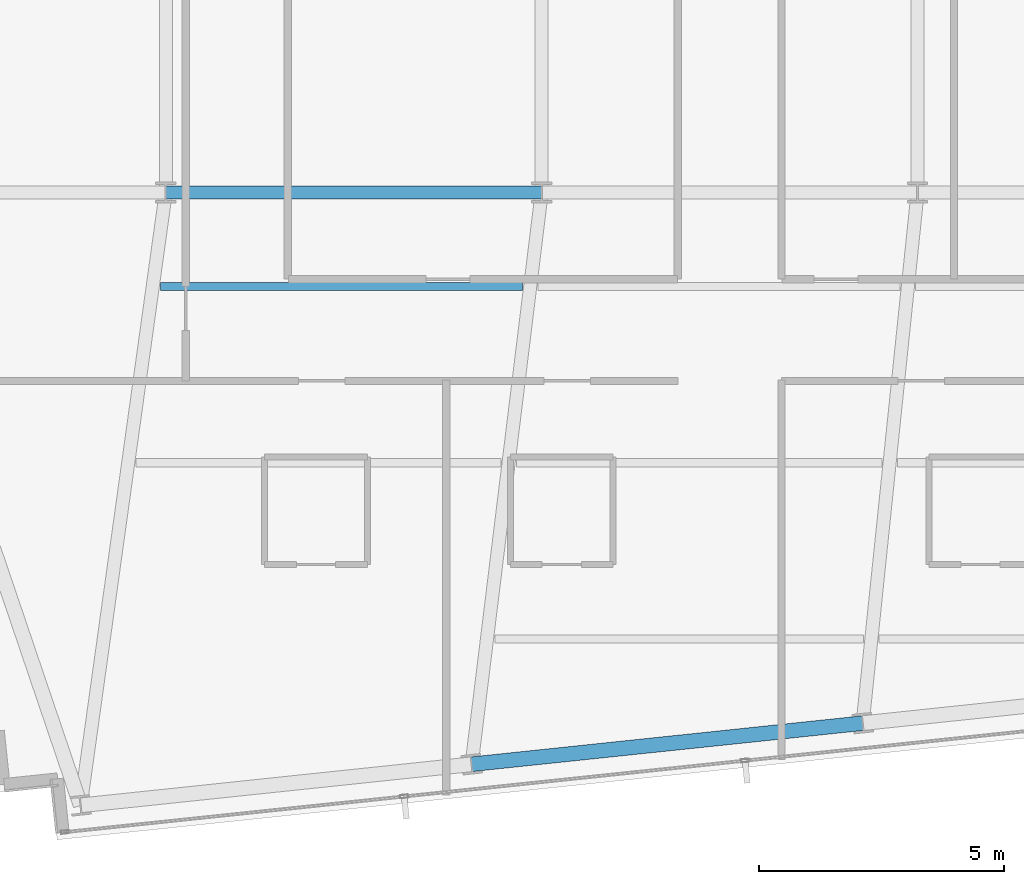
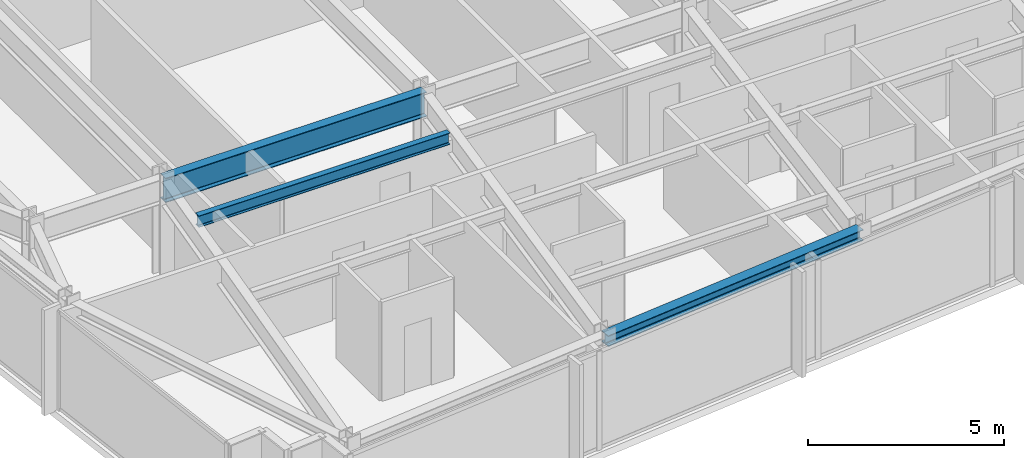
# One storey, part 6 of 33: 3 beams.
"""IFC4 building model written with IfcOpenShell, lengths in metres."""

import ifcopenshell
import ifcopenshell.guid

model = None  # the IFC model being written
_history = None  # IfcOwnerHistory: only IFC2X3 demands one
_inside = {}  # id of a spatial element -> (the spatial element, [elements in it])
_under = {}  # id of a project, library or spatial element -> (it, [spatial elements below it])
_declared = {}  # id of a project -> (the project, [libraries it declares])
_typed = {}  # id of a type object -> (the type object, [elements of that type])
_made_of = {}  # id of a material, layer set ... -> (it, [elements and type objects made of it])


def new_model(schema):
    """Start an empty IFC model of exactly this schema.

    Asked for "IFC4X3", IfcOpenShell would pick the latest addendum, in which some entities
    have other attributes; the version numbers below select the first issue.
    IFC2X3 requires an IfcOwnerHistory on every rooted entity: one is made here for all.
    """
    global model, _history
    if schema == "IFC4X3":
        model = ifcopenshell.file(schema_version=(4, 3, 0, 0))
    else:
        model = ifcopenshell.file(schema=schema)
    _inside.clear()
    _under.clear()
    _declared.clear()
    _typed.clear()
    _made_of.clear()
    _history = None
    if model.schema == "IFC2X3":
        org = make("IfcOrganization", Name="unknown")
        user = make(
            "IfcPersonAndOrganization",
            ThePerson=make("IfcPerson", FamilyName="unknown"),
            TheOrganization=org,
        )
        app = make(
            "IfcApplication",
            ApplicationDeveloper=org,
            Version="unknown",
            ApplicationFullName="unknown",
            ApplicationIdentifier="unknown",
        )
        _history = make(
            "IfcOwnerHistory",
            OwningUser=user,
            OwningApplication=app,
            ChangeAction="ADDED",
            CreationDate=0,
        )
    return model


def make(cls, **values):
    """One entity of the class cls with the attributes given. An attribute that is None is left unset."""
    return model.create_entity(
        cls, **{name: value for name, value in values.items() if value is not None}
    )


def rooted(cls, **values):
    """An entity with a GlobalId (a new one), such as an element, a storey or a relation."""
    return make(cls, GlobalId=ifcopenshell.guid.new(), OwnerHistory=_history, **values)


def si_unit(unit_type, name, prefix=None):
    """IfcSIUnit, for example si_unit("LENGTHUNIT", "METRE", prefix="MILLI")."""
    return make("IfcSIUnit", UnitType=unit_type, Prefix=prefix, Name=name)


def assignment(units):
    """IfcUnitAssignment: the units of a project."""
    return None if units is None else make("IfcUnitAssignment", Units=units)


def point(xyz):
    """IfcCartesianPoint."""
    return None if xyz is None else make("IfcCartesianPoint", Coordinates=xyz)


def direction(xyz):
    """IfcDirection."""
    return None if xyz is None else make("IfcDirection", DirectionRatios=xyz)


def frame(location, z_axis=None, x_axis=None):
    """IfcAxis2Placement3D, a coordinate frame: its origin and axes. An axis left out is left unset."""
    return make(
        "IfcAxis2Placement3D",
        Location=point(location),
        Axis=direction(z_axis),
        RefDirection=direction(x_axis),
    )


def frame_2d(location, x_axis=None):
    """IfcAxis2Placement2D, a coordinate frame in the plane: its origin and x axis."""
    return make(
        "IfcAxis2Placement2D", Location=point(location), RefDirection=direction(x_axis)
    )


def origin():
    """The frame at (0, 0, 0) with its axes left unset."""
    return frame((0.0, 0.0, 0.0))


def origin_2d():
    """The frame at (0, 0) in the plane with its x axis left unset."""
    return frame_2d((0.0, 0.0))


def place(relative_to, where):
    """IfcLocalPlacement: puts the frame where relative to a parent placement (None: the world)."""
    return make(
        "IfcLocalPlacement", PlacementRelTo=relative_to, RelativePlacement=where
    )


def context(
    kind, dimensions, precision=None, world=None, true_north=None, identifier=None
):
    """IfcGeometricRepresentationContext, for example the 3D "Model" context."""
    return make(
        "IfcGeometricRepresentationContext",
        ContextIdentifier=identifier,
        ContextType=kind,
        CoordinateSpaceDimension=dimensions,
        Precision=precision,
        WorldCoordinateSystem=world,
        TrueNorth=true_north,
    )


def subcontext(parent, identifier, kind, view, scale=None):
    """IfcGeometricRepresentationSubContext, for example "Body" below "Model"."""
    return make(
        "IfcGeometricRepresentationSubContext",
        ContextIdentifier=identifier,
        ContextType=kind,
        ParentContext=parent,
        TargetScale=scale,
        TargetView=view,
    )


def project(units=None, contexts=None):
    """IfcProject with its units and contexts."""
    return rooted(
        "IfcProject",
        Name="project",
        RepresentationContexts=contexts,
        UnitsInContext=assignment(units),
    )


def spatial(cls, under=None, at=None, **own):
    """A site, building, storey or space (cls), placed at a placement, below another one or the project."""
    s = rooted(cls, ObjectPlacement=at, **own)
    if under is not None:
        _under.setdefault(under.id(), (under, []))[1].append(s)
    return s


def profile(cls, at=None, kind="AREA", **sizes):
    """A parametric profile (cls). Its sizes go by their IFC names, for example OverallWidth=200.0."""
    return make(cls, ProfileType=kind, Position=at, **sizes)


def i_section(**sizes):
    """IfcIShapeProfileDef."""
    return profile("IfcIShapeProfileDef", **sizes)


def extrude(swept, where, along, depth):
    """IfcExtrudedAreaSolid: the profile swept, set in the frame where, extruded along a direction by depth."""
    return make(
        "IfcExtrudedAreaSolid",
        SweptArea=swept,
        Position=where,
        ExtrudedDirection=direction(along),
        Depth=depth,
    )


def shape(context_of_items, identifier, shape_type, items):
    """IfcShapeRepresentation: the items that make up one representation, for example the "Body"."""
    return make(
        "IfcShapeRepresentation",
        ContextOfItems=context_of_items,
        RepresentationIdentifier=identifier,
        RepresentationType=shape_type,
        Items=items,
    )


def material(Name=None, Category=None):
    """IfcMaterial."""
    return make("IfcMaterial", Name=Name, Category=Category)


def material_profile(
    of_material, cross_section, Name=None, Category=None, Priority=None
):
    """IfcMaterialProfile: a cross section and its material."""
    return make(
        "IfcMaterialProfile",
        Name=Name,
        Material=of_material,
        Profile=cross_section,
        Priority=Priority,
        Category=Category,
    )


def profile_set(profiles, Name=None, composite=None):
    """IfcMaterialProfileSet."""
    return make(
        "IfcMaterialProfileSet",
        Name=Name,
        MaterialProfiles=profiles,
        CompositeProfile=composite,
    )


def made_of(thing, what):
    """Note that an element or type object is made of a material, layer set ...; save() writes the relation."""
    if what is not None:
        _made_of.setdefault(what.id(), (what, []))[1].append(thing)
    return thing


def type_object(cls, material=None, **own):
    """A type object (cls), such as IfcWallType, which elements share."""
    return made_of(rooted(cls, **own), material)


def element(
    cls,
    number,
    at=None,
    inside=None,
    cuts=None,
    type_object=None,
    material=None,
    context=None,
    identifier="Body",
    shape_type=None,
    held_by="IfcProductDefinitionShape",
    body=None,
    shapes=None,
    **own,
):
    """One element of the class cls, such as IfcWall. Its Tag is "e" and its number.

    at: its placement. inside: the storey or other place that contains it. cuts: it is an
    opening in that element (IfcRelVoidsElement). A single representation is given by context,
    identifier, shape_type and body (its items); several are given by shapes. held_by: the class
    of the entity that holds the representations. save() writes the other relations.
    """
    e = rooted(cls, Tag="e%d" % number, ObjectPlacement=at, **own)
    if body is not None:
        shapes = [shape(context, identifier, shape_type, body)]
    if shapes is not None:
        e.Representation = make(held_by, Representations=shapes)
    if inside is not None:
        _inside.setdefault(inside.id(), (inside, []))[1].append(e)
    if cuts is not None:
        rooted(
            "IfcRelVoidsElement", RelatingBuildingElement=cuts, RelatedOpeningElement=e
        )
    if type_object is not None:
        _typed.setdefault(type_object.id(), (type_object, []))[1].append(e)
    return made_of(e, material)


def aggregate(whole, parts):
    """IfcRelAggregates: a whole, such as a stair, and the parts it consists of."""
    return rooted("IfcRelAggregates", RelatingObject=whole, RelatedObjects=parts)


def save(model, path):
    """Write the relations noted so far, then the file.

    IfcRelAggregates (storeys below a building ...), IfcRelContainedInSpatialStructure (elements
    in a storey), IfcRelDefinesByType, IfcRelAssociatesMaterial and IfcRelDeclares: one each for
    every whole, place, type object, material and project.
    """
    for whole, parts in _under.values():
        aggregate(whole, parts)
    for where, things in _inside.values():
        rooted(
            "IfcRelContainedInSpatialStructure",
            RelatedElements=things,
            RelatingStructure=where,
        )
    for kind, things in _typed.values():
        rooted("IfcRelDefinesByType", RelatedObjects=things, RelatingType=kind)
    for what, things in _made_of.values():
        rooted("IfcRelAssociatesMaterial", RelatedObjects=things, RelatingMaterial=what)
    for by, libraries in _declared.values():
        rooted("IfcRelDeclares", RelatingContext=by, RelatedDefinitions=libraries)
    model.write(path)


model = new_model("IFC4")

# Units and contexts
model_context = context("Model", 3, precision=1e-05, world=origin(), true_north=direction((0.0, 1.0)))
body_context = subcontext(model_context, "Body", "Model", "MODEL_VIEW")
ifc_project = project(units=[si_unit("LENGTHUNIT", "METRE"), si_unit("AREAUNIT", "SQUARE_METRE"), si_unit("VOLUMEUNIT", "CUBIC_METRE"), si_unit("PLANEANGLEUNIT", "RADIAN"), si_unit("MASSUNIT", "GRAM", prefix="KILO")], contexts=[model_context])

# Site, building, storey
site_placement = place(None, origin())
site = spatial("IfcSite", under=ifc_project, at=site_placement, CompositionType="ELEMENT")
building_placement = place(site_placement, origin())
building = spatial("IfcBuilding", under=site, at=building_placement, Name="Yelkora Congress Tower", CompositionType="ELEMENT")
storey_placement = place(building_placement, frame((0.0, 0.0, 234.199951171875)))
storey = spatial("IfcBuildingStorey", under=building, at=storey_placement, Name="L65", CompositionType="ELEMENT", Elevation=234.199951171875)

# Beams
ifc_material = material(Name="Steel S355J2", Category="steel")
ifc_material_profile_1 = material_profile(ifc_material, i_section(OverallWidth=0.26708984375, OverallDepth=0.761962890625, WebThickness=0.014404296875, FlangeThickness=0.021484375, FilletRadius=0.01708984375, at=origin_2d()), Name="IPE 750x173")
ifc_profile_set_1 = profile_set([ifc_material_profile_1], Name="Steel S355J2")
beam_type_1 = type_object("IfcBeamType", Name="BM-GIRD-IPE750", PredefinedType="BEAM", material=ifc_profile_set_1)
beam_1_placement = place(storey_placement, frame((23.0400390625, 25.199951171875, 2.698974609375), z_axis=(1.0, 0.0, 0.0), x_axis=(0.0, 1.0, 0.0)))
element("IfcBeam", 1, at=beam_1_placement, inside=storey, type_object=beam_type_1, Name="L65 Spine Grid D Girder 2", PredefinedType="BEAM", context=body_context, shape_type="SweptSolid", body=[
    extrude(i_section(OverallWidth=0.26708984375, OverallDepth=0.761962890625, WebThickness=0.014404296875, FlangeThickness=0.021484375, FilletRadius=0.01708984375, at=origin_2d()), origin(), (0.0, 0.0, 1.0), 7.679931640625),
])
ifc_material_profile_2 = material_profile(ifc_material, i_section(OverallWidth=0.169921875, OverallDepth=0.360107421875, WebThickness=0.008056640625, FlangeThickness=0.0126953125, FilletRadius=0.01806640625, at=origin_2d()), Name="IPE 360")
ifc_profile_set_2 = profile_set([ifc_material_profile_2], Name="Steel S355J2")
beam_type_2 = type_object("IfcBeamType", Name="BM-JOIST-IPE360", PredefinedType="JOIST", material=ifc_profile_set_2)
beam_2_placement = place(storey_placement, frame((22.932861328125, 23.278564453125, 2.900146484375), z_axis=(1.0, 0.0, 0.0), x_axis=(0.0, 1.0, 0.0)))
element("IfcBeam", 2, at=beam_2_placement, inside=storey, type_object=beam_type_2, Name="L65 Composite Floor Joist 9", PredefinedType="JOIST", context=body_context, shape_type="SweptSolid", body=[
    extrude(i_section(OverallWidth=0.169921875, OverallDepth=0.360107421875, WebThickness=0.008056640625, FlangeThickness=0.0126953125, FilletRadius=0.01806640625, at=origin_2d()), origin(), (0.0, 0.0, 1.0), 7.3916015625),
])
ifc_material_profile_3 = material_profile(ifc_material, i_section(OverallWidth=0.300048828125, OverallDepth=0.340087890625, WebThickness=0.011962890625, FlangeThickness=0.021484375, FilletRadius=0.027099609375, at=origin_2d()), Name="HEB 340")
ifc_profile_set_3 = profile_set([ifc_material_profile_3], Name="Steel S355J2")
beam_type_3 = type_object("IfcBeamType", Name="BM-SPAN-HEB340", PredefinedType="SPANDREL", material=ifc_profile_set_3)
beam_3_placement = place(storey_placement, frame((29.288330078125, 13.518310546875, 2.91015625), z_axis=(0.994523256947, 0.104515507904, 0.0), x_axis=(-0.104515507904, 0.994523256947, 0.0)))
element("IfcBeam", 3, at=beam_3_placement, inside=storey, type_object=beam_type_3, Name="L65 Perimeter Beam 4", PredefinedType="SPANDREL", context=body_context, shape_type="SweptSolid", body=[
    extrude(i_section(OverallWidth=0.300048828125, OverallDepth=0.340087890625, WebThickness=0.011962890625, FlangeThickness=0.021484375, FilletRadius=0.027099609375, at=origin_2d()), origin(), (0.0, 0.0, 1.0), 8.033203125),
])

save(model, "model.ifc")
